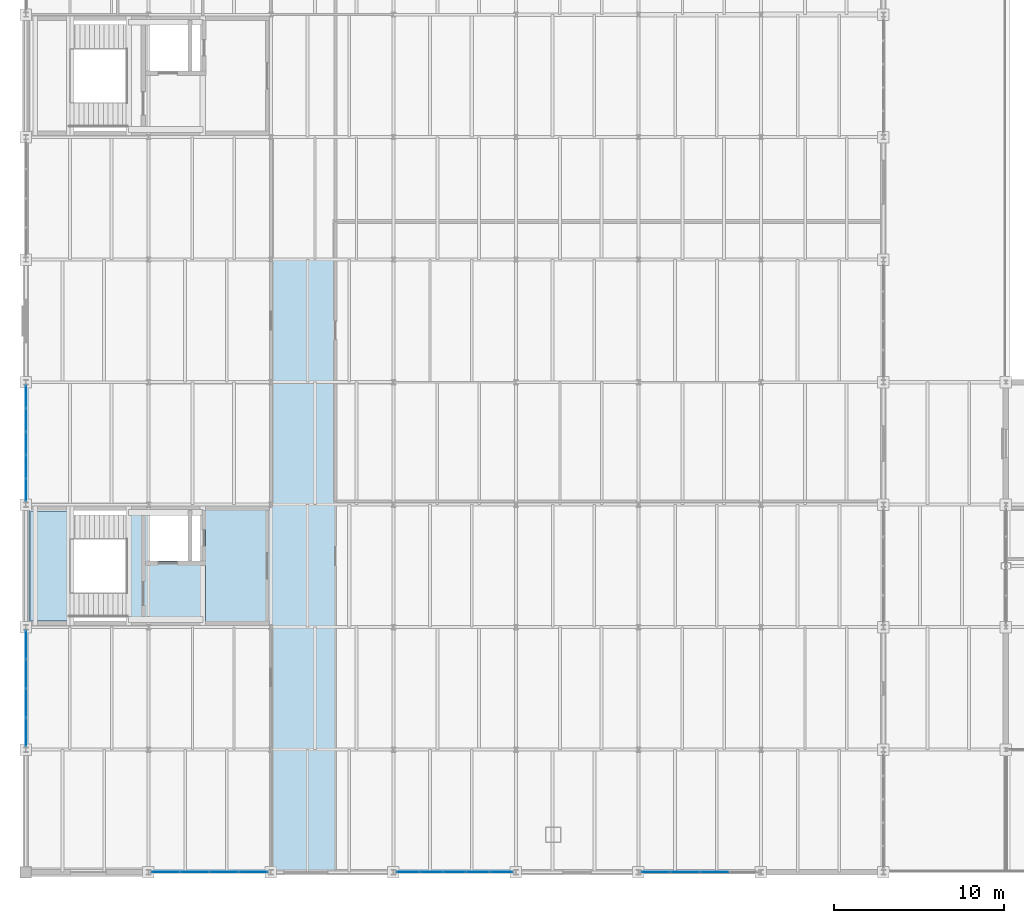
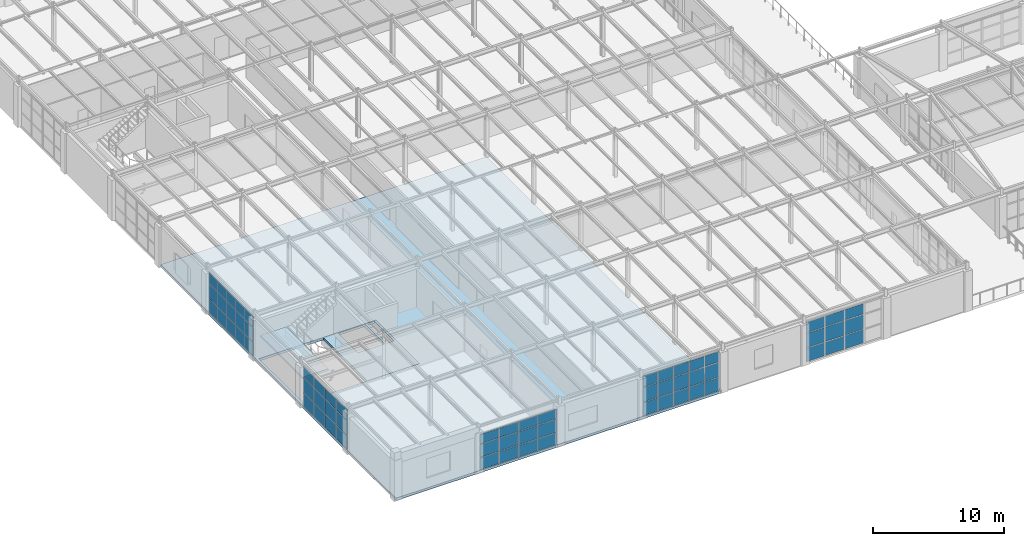
# One storey, part 81 of 101: 63 plates, 3 slabs, 6 elements without a shape of their own.
"""IFC4 building model written with IfcOpenShell, lengths in metres."""

from ifc_helpers import new_model, si_unit, direction, frame, origin, origin_2d, place, context, subcontext, project, spatial, polyline, rectangle, outline, extrude, material, layer, layer_set, type_object, element, aggregate, save


model = new_model("IFC4")

# Units and contexts
model_context = context("Model", 3, precision=1e-05, world=origin(), true_north=direction((0.0, 1.0)))
body_context = subcontext(model_context, "Body", "Model", "MODEL_VIEW")
ifc_project = project(units=[si_unit("LENGTHUNIT", "METRE"), si_unit("AREAUNIT", "SQUARE_METRE"), si_unit("VOLUMEUNIT", "CUBIC_METRE"), si_unit("PLANEANGLEUNIT", "RADIAN"), si_unit("MASSUNIT", "GRAM", prefix="KILO")], contexts=[model_context])

# Site, building, storey
site_placement = place(None, origin())
site = spatial("IfcSite", under=ifc_project, at=site_placement, CompositionType="ELEMENT")
building_placement = place(site_placement, origin())
building = spatial("IfcBuilding", under=site, at=building_placement, Name="Kemerveld Promenade Tramway Depot", CompositionType="ELEMENT")
storey_placement = place(building_placement, frame((0.0, 0.0, 9.89990234375)))
storey = spatial("IfcBuildingStorey", under=building, at=storey_placement, Name="L02", CompositionType="ELEMENT", Elevation=9.89990234375)

# Curtain wall, plates
ifc_material_1 = material(Name="Bronze anodised aluminium and solar glass", Category="aluminium")
ifc_layer_1 = layer(ifc_material_1, 0.159912109375)
ifc_layer_set_1 = layer_set([ifc_layer_1], Name="CW-SYS-09")
curtain_wall_type_1 = type_object("IfcCurtainWallType", Name="CW-SYS-09", PredefinedType="USERDEFINED", material=ifc_layer_set_1)
curtain_wall_1_placement = place(storey_placement, origin())
curtain_wall_1 = element("IfcCurtainWall", 1, at=curtain_wall_1_placement, inside=storey, type_object=curtain_wall_type_1, Name="CW-L02-V5S-06", ObjectType="GLAZED_CURTAIN_WALL", PredefinedType="USERDEFINED")
ifc_material_2 = material(Name="Solar-control laminated double glazing", Category="glass")
ifc_layer_2 = layer(ifc_material_2, 0.028076171875)
ifc_layer_set_2 = layer_set([ifc_layer_2], Name="CW-PNL-01")
plate_type_1 = type_object("IfcPlateType", Name="CW-PNL-01", PredefinedType="CURTAIN_PANEL", material=ifc_layer_set_2)
plate_1_placement = place(storey_placement, frame((13.365234375, 0.0, 0.06005859375), z_axis=(0.0, 0.0, 1.0), x_axis=(-1.0, 0.0, 0.0)))
plate_1 = element("IfcPlate", 2, at=plate_1_placement, type_object=plate_type_1, Name="CW09 panel 1.1", PredefinedType="CURTAIN_PANEL", context=body_context, shape_type="SweptSolid", body=[
    extrude(rectangle(XDim=1.62353515625, YDim=0.028076171875, at=origin_2d()), origin(), (0.0, 0.0, 1.0), 1.10498046875),
])
plate_2_placement = place(storey_placement, frame((13.365234375, 0.0, 1.22509765625), z_axis=(0.0, 0.0, 1.0), x_axis=(-1.0, 0.0, 0.0)))
plate_2 = element("IfcPlate", 3, at=plate_2_placement, type_object=plate_type_1, Name="CW09 panel 1.2", PredefinedType="CURTAIN_PANEL", context=body_context, shape_type="SweptSolid", body=[
    extrude(rectangle(XDim=1.62353515625, YDim=0.028076171875, at=origin_2d()), origin(), (0.0, 0.0, 1.0), 1.2041015625),
])
plate_3_placement = place(storey_placement, frame((13.365234375, 0.0, 2.4892578125), z_axis=(0.0, 0.0, 1.0), x_axis=(-1.0, 0.0, 0.0)))
plate_3 = element("IfcPlate", 4, at=plate_3_placement, type_object=plate_type_1, Name="CW09 panel 1.3", PredefinedType="CURTAIN_PANEL", context=body_context, shape_type="SweptSolid", body=[
    extrude(rectangle(XDim=1.62353515625, YDim=0.028076171875, at=origin_2d()), origin(), (0.0, 0.0, 1.0), 0.865966796875),
])
plate_4_placement = place(storey_placement, frame((11.660400390625, 0.0, 0.06005859375), z_axis=(0.0, 0.0, 1.0), x_axis=(-1.0, 0.0, 0.0)))
plate_4 = element("IfcPlate", 5, at=plate_4_placement, type_object=plate_type_1, Name="CW09 panel 2.1", PredefinedType="CURTAIN_PANEL", context=body_context, shape_type="SweptSolid", body=[
    extrude(rectangle(XDim=1.656005859375, YDim=0.028076171875, at=origin_2d()), origin(), (0.0, 0.0, 1.0), 1.10498046875),
])
plate_5_placement = place(storey_placement, frame((11.660400390625, 0.0, 1.22509765625), z_axis=(0.0, 0.0, 1.0), x_axis=(-1.0, 0.0, 0.0)))
plate_5 = element("IfcPlate", 6, at=plate_5_placement, type_object=plate_type_1, Name="CW09 panel 2.2", PredefinedType="CURTAIN_PANEL", context=body_context, shape_type="SweptSolid", body=[
    extrude(rectangle(XDim=1.656005859375, YDim=0.028076171875, at=origin_2d()), origin(), (0.0, 0.0, 1.0), 1.2041015625),
])
plate_6_placement = place(storey_placement, frame((11.660400390625, 0.0, 2.4892578125), z_axis=(0.0, 0.0, 1.0), x_axis=(-1.0, 0.0, 0.0)))
plate_6 = element("IfcPlate", 7, at=plate_6_placement, type_object=plate_type_1, Name="CW09 panel 2.3", PredefinedType="CURTAIN_PANEL", context=body_context, shape_type="SweptSolid", body=[
    extrude(rectangle(XDim=1.656005859375, YDim=0.028076171875, at=origin_2d()), origin(), (0.0, 0.0, 1.0), 0.865966796875),
])
plate_7_placement = place(storey_placement, frame((9.939697265625, 0.0, 0.06005859375), z_axis=(0.0, 0.0, 1.0), x_axis=(-1.0, 0.0, 0.0)))
plate_7 = element("IfcPlate", 8, at=plate_7_placement, type_object=plate_type_1, Name="CW09 panel 3.1", PredefinedType="CURTAIN_PANEL", context=body_context, shape_type="SweptSolid", body=[
    extrude(rectangle(XDim=1.656005859375, YDim=0.028076171875, at=origin_2d()), origin(), (0.0, 0.0, 1.0), 1.10498046875),
])
plate_8_placement = place(storey_placement, frame((9.939697265625, 0.0, 1.22509765625), z_axis=(0.0, 0.0, 1.0), x_axis=(-1.0, 0.0, 0.0)))
plate_8 = element("IfcPlate", 9, at=plate_8_placement, type_object=plate_type_1, Name="CW09 panel 3.2", PredefinedType="CURTAIN_PANEL", context=body_context, shape_type="SweptSolid", body=[
    extrude(rectangle(XDim=1.656005859375, YDim=0.028076171875, at=origin_2d()), origin(), (0.0, 0.0, 1.0), 1.2041015625),
])
plate_9_placement = place(storey_placement, frame((9.939697265625, 0.0, 2.4892578125), z_axis=(0.0, 0.0, 1.0), x_axis=(-1.0, 0.0, 0.0)))
plate_9 = element("IfcPlate", 10, at=plate_9_placement, type_object=plate_type_1, Name="CW09 panel 3.3", PredefinedType="CURTAIN_PANEL", context=body_context, shape_type="SweptSolid", body=[
    extrude(rectangle(XDim=1.656005859375, YDim=0.028076171875, at=origin_2d()), origin(), (0.0, 0.0, 1.0), 0.865966796875),
])
plate_10_placement = place(storey_placement, frame((8.23486328125, 0.0, 0.06005859375), z_axis=(0.0, 0.0, 1.0), x_axis=(-1.0, 0.0, 0.0)))
plate_10 = element("IfcPlate", 11, at=plate_10_placement, type_object=plate_type_1, Name="CW09 panel 4.1", PredefinedType="CURTAIN_PANEL", context=body_context, shape_type="SweptSolid", body=[
    extrude(rectangle(XDim=1.62353515625, YDim=0.028076171875, at=origin_2d()), origin(), (0.0, 0.0, 1.0), 1.10498046875),
])
plate_11_placement = place(storey_placement, frame((8.23486328125, 0.0, 1.22509765625), z_axis=(0.0, 0.0, 1.0), x_axis=(-1.0, 0.0, 0.0)))
plate_11 = element("IfcPlate", 12, at=plate_11_placement, type_object=plate_type_1, Name="CW09 panel 4.2", PredefinedType="CURTAIN_PANEL", context=body_context, shape_type="SweptSolid", body=[
    extrude(rectangle(XDim=1.62353515625, YDim=0.028076171875, at=origin_2d()), origin(), (0.0, 0.0, 1.0), 1.2041015625),
])
plate_12_placement = place(storey_placement, frame((8.23486328125, 0.0, 2.4892578125), z_axis=(0.0, 0.0, 1.0), x_axis=(-1.0, 0.0, 0.0)))
plate_12 = element("IfcPlate", 13, at=plate_12_placement, type_object=plate_type_1, Name="CW09 panel 4.3", PredefinedType="CURTAIN_PANEL", context=body_context, shape_type="SweptSolid", body=[
    extrude(rectangle(XDim=1.62353515625, YDim=0.028076171875, at=origin_2d()), origin(), (0.0, 0.0, 1.0), 0.865966796875),
])
aggregate(curtain_wall_1, [plate_1, plate_2, plate_3, plate_4, plate_5, plate_6, plate_7, plate_8, plate_9, plate_10, plate_11, plate_12])

ifc_layer_3 = layer(ifc_material_1, 0.159912109375)
ifc_layer_set_3 = layer_set([ifc_layer_3], Name="CW-SYS-05")
curtain_wall_type_2 = type_object("IfcCurtainWallType", Name="CW-SYS-05", PredefinedType="USERDEFINED", material=ifc_layer_set_3)
curtain_wall_2_placement = place(storey_placement, origin())
curtain_wall_2 = element("IfcCurtainWall", 14, at=curtain_wall_2_placement, inside=storey, type_object=curtain_wall_type_2, Name="CW-L02-V5W-02", ObjectType="GLAZED_CURTAIN_WALL", PredefinedType="USERDEFINED")
ifc_layer_4 = layer(ifc_material_2, 0.031982421875)
ifc_layer_set_4 = layer_set([ifc_layer_4], Name="CW-PNL-05")
plate_type_2 = type_object("IfcPlateType", Name="CW-PNL-05", PredefinedType="CURTAIN_PANEL", material=ifc_layer_set_4)
plate_13_placement = place(storey_placement, frame((0.0, 8.23486328125, 0.06005859375), z_axis=(0.0, 0.0, 1.0), x_axis=(0.0, 1.0, 0.0)))
plate_13 = element("IfcPlate", 15, at=plate_13_placement, type_object=plate_type_2, Name="CW05 panel 1.1", PredefinedType="CURTAIN_PANEL", context=body_context, shape_type="SweptSolid", body=[
    extrude(rectangle(XDim=1.62353515625, YDim=0.031982421875, at=origin_2d()), origin(), (0.0, 0.0, 1.0), 1.239990234375),
])
plate_14_placement = place(storey_placement, frame((0.0, 8.23486328125, 1.3603515625), z_axis=(0.0, 0.0, 1.0), x_axis=(0.0, 1.0, 0.0)))
plate_14 = element("IfcPlate", 16, at=plate_14_placement, type_object=plate_type_2, Name="CW05 panel 1.2", PredefinedType="CURTAIN_PANEL", context=body_context, shape_type="SweptSolid", body=[
    extrude(rectangle(XDim=1.62353515625, YDim=0.031982421875, at=origin_2d()), origin(), (0.0, 0.0, 1.0), 1.345947265625),
])
plate_15_placement = place(storey_placement, frame((0.0, 8.23486328125, 2.76611328125), z_axis=(0.0, 0.0, 1.0), x_axis=(0.0, 1.0, 0.0)))
plate_15 = element("IfcPlate", 17, at=plate_15_placement, type_object=plate_type_2, Name="CW05 panel 1.3", PredefinedType="CURTAIN_PANEL", context=body_context, shape_type="SweptSolid", body=[
    extrude(rectangle(XDim=1.62353515625, YDim=0.031982421875, at=origin_2d()), origin(), (0.0, 0.0, 1.0), 0.97412109375),
])
plate_16_placement = place(storey_placement, frame((0.0, 9.939697265625, 0.06005859375), z_axis=(0.0, 0.0, 1.0), x_axis=(0.0, 1.0, 0.0)))
plate_16 = element("IfcPlate", 18, at=plate_16_placement, type_object=plate_type_2, Name="CW05 panel 2.1", PredefinedType="CURTAIN_PANEL", context=body_context, shape_type="SweptSolid", body=[
    extrude(rectangle(XDim=1.656005859375, YDim=0.031982421875, at=origin_2d()), origin(), (0.0, 0.0, 1.0), 1.239990234375),
])
plate_17_placement = place(storey_placement, frame((0.0, 9.939697265625, 1.3603515625), z_axis=(0.0, 0.0, 1.0), x_axis=(0.0, 1.0, 0.0)))
plate_17 = element("IfcPlate", 19, at=plate_17_placement, type_object=plate_type_2, Name="CW05 panel 2.2", PredefinedType="CURTAIN_PANEL", context=body_context, shape_type="SweptSolid", body=[
    extrude(rectangle(XDim=1.656005859375, YDim=0.031982421875, at=origin_2d()), origin(), (0.0, 0.0, 1.0), 1.345947265625),
])
plate_18_placement = place(storey_placement, frame((0.0, 9.939697265625, 2.76611328125), z_axis=(0.0, 0.0, 1.0), x_axis=(0.0, 1.0, 0.0)))
plate_18 = element("IfcPlate", 20, at=plate_18_placement, type_object=plate_type_2, Name="CW05 panel 2.3", PredefinedType="CURTAIN_PANEL", context=body_context, shape_type="SweptSolid", body=[
    extrude(rectangle(XDim=1.656005859375, YDim=0.031982421875, at=origin_2d()), origin(), (0.0, 0.0, 1.0), 0.97412109375),
])
plate_19_placement = place(storey_placement, frame((0.0, 11.660400390625, 0.06005859375), z_axis=(0.0, 0.0, 1.0), x_axis=(0.0, 1.0, 0.0)))
plate_19 = element("IfcPlate", 21, at=plate_19_placement, type_object=plate_type_2, Name="CW05 panel 3.1", PredefinedType="CURTAIN_PANEL", context=body_context, shape_type="SweptSolid", body=[
    extrude(rectangle(XDim=1.656005859375, YDim=0.031982421875, at=origin_2d()), origin(), (0.0, 0.0, 1.0), 1.239990234375),
])
plate_20_placement = place(storey_placement, frame((0.0, 11.660400390625, 1.3603515625), z_axis=(0.0, 0.0, 1.0), x_axis=(0.0, 1.0, 0.0)))
plate_20 = element("IfcPlate", 22, at=plate_20_placement, type_object=plate_type_2, Name="CW05 panel 3.2", PredefinedType="CURTAIN_PANEL", context=body_context, shape_type="SweptSolid", body=[
    extrude(rectangle(XDim=1.656005859375, YDim=0.031982421875, at=origin_2d()), origin(), (0.0, 0.0, 1.0), 1.345947265625),
])
plate_21_placement = place(storey_placement, frame((0.0, 11.660400390625, 2.76611328125), z_axis=(0.0, 0.0, 1.0), x_axis=(0.0, 1.0, 0.0)))
plate_21 = element("IfcPlate", 23, at=plate_21_placement, type_object=plate_type_2, Name="CW05 panel 3.3", PredefinedType="CURTAIN_PANEL", context=body_context, shape_type="SweptSolid", body=[
    extrude(rectangle(XDim=1.656005859375, YDim=0.031982421875, at=origin_2d()), origin(), (0.0, 0.0, 1.0), 0.97412109375),
])
plate_22_placement = place(storey_placement, frame((0.0, 13.365234375, 0.06005859375), z_axis=(0.0, 0.0, 1.0), x_axis=(0.0, 1.0, 0.0)))
plate_22 = element("IfcPlate", 24, at=plate_22_placement, type_object=plate_type_2, Name="CW05 panel 4.1", PredefinedType="CURTAIN_PANEL", context=body_context, shape_type="SweptSolid", body=[
    extrude(rectangle(XDim=1.62353515625, YDim=0.031982421875, at=origin_2d()), origin(), (0.0, 0.0, 1.0), 1.239990234375),
])
plate_23_placement = place(storey_placement, frame((0.0, 13.365234375, 1.3603515625), z_axis=(0.0, 0.0, 1.0), x_axis=(0.0, 1.0, 0.0)))
plate_23 = element("IfcPlate", 25, at=plate_23_placement, type_object=plate_type_2, Name="CW05 panel 4.2", PredefinedType="CURTAIN_PANEL", context=body_context, shape_type="SweptSolid", body=[
    extrude(rectangle(XDim=1.62353515625, YDim=0.031982421875, at=origin_2d()), origin(), (0.0, 0.0, 1.0), 1.345947265625),
])
plate_24_placement = place(storey_placement, frame((0.0, 13.365234375, 2.76611328125), z_axis=(0.0, 0.0, 1.0), x_axis=(0.0, 1.0, 0.0)))
plate_24 = element("IfcPlate", 26, at=plate_24_placement, type_object=plate_type_2, Name="CW05 panel 4.3", PredefinedType="CURTAIN_PANEL", context=body_context, shape_type="SweptSolid", body=[
    extrude(rectangle(XDim=1.62353515625, YDim=0.031982421875, at=origin_2d()), origin(), (0.0, 0.0, 1.0), 0.97412109375),
])
aggregate(curtain_wall_2, [plate_13, plate_14, plate_15, plate_16, plate_17, plate_18, plate_19, plate_20, plate_21, plate_22, plate_23, plate_24])

curtain_wall_3_placement = place(storey_placement, origin())
curtain_wall_3 = element("IfcCurtainWall", 27, at=curtain_wall_3_placement, inside=storey, type_object=curtain_wall_type_2, Name="CW-L02-V5S-02", ObjectType="GLAZED_CURTAIN_WALL", PredefinedType="USERDEFINED")
plate_25_placement = place(storey_placement, frame((40.46044921875, 0.0, 0.06005859375), z_axis=(0.0, 0.0, 1.0), x_axis=(-1.0, 0.0, 0.0)))
plate_25 = element("IfcPlate", 28, at=plate_25_placement, type_object=plate_type_2, Name="CW05 panel 2.1", PredefinedType="CURTAIN_PANEL", context=body_context, shape_type="SweptSolid", body=[
    extrude(rectangle(XDim=1.656005859375, YDim=0.031982421875, at=origin_2d()), origin(), (0.0, 0.0, 1.0), 1.239990234375),
])
plate_26_placement = place(storey_placement, frame((40.46044921875, 0.0, 1.3603515625), z_axis=(0.0, 0.0, 1.0), x_axis=(-1.0, 0.0, 0.0)))
plate_26 = element("IfcPlate", 29, at=plate_26_placement, type_object=plate_type_2, Name="CW05 panel 2.2", PredefinedType="CURTAIN_PANEL", context=body_context, shape_type="SweptSolid", body=[
    extrude(rectangle(XDim=1.656005859375, YDim=0.031982421875, at=origin_2d()), origin(), (0.0, 0.0, 1.0), 1.345947265625),
])
plate_27_placement = place(storey_placement, frame((40.46044921875, 0.0, 2.76611328125), z_axis=(0.0, 0.0, 1.0), x_axis=(-1.0, 0.0, 0.0)))
plate_27 = element("IfcPlate", 30, at=plate_27_placement, type_object=plate_type_2, Name="CW05 panel 2.3", PredefinedType="CURTAIN_PANEL", context=body_context, shape_type="SweptSolid", body=[
    extrude(rectangle(XDim=1.656005859375, YDim=0.031982421875, at=origin_2d()), origin(), (0.0, 0.0, 1.0), 0.97412109375),
])
plate_28_placement = place(storey_placement, frame((38.739501953125, 0.0, 0.06005859375), z_axis=(0.0, 0.0, 1.0), x_axis=(-1.0, 0.0, 0.0)))
plate_28 = element("IfcPlate", 31, at=plate_28_placement, type_object=plate_type_2, Name="CW05 panel 3.1", PredefinedType="CURTAIN_PANEL", context=body_context, shape_type="SweptSolid", body=[
    extrude(rectangle(XDim=1.656005859375, YDim=0.031982421875, at=origin_2d()), origin(), (0.0, 0.0, 1.0), 1.239990234375),
])
plate_29_placement = place(storey_placement, frame((38.739501953125, 0.0, 1.3603515625), z_axis=(0.0, 0.0, 1.0), x_axis=(-1.0, 0.0, 0.0)))
plate_29 = element("IfcPlate", 32, at=plate_29_placement, type_object=plate_type_2, Name="CW05 panel 3.2", PredefinedType="CURTAIN_PANEL", context=body_context, shape_type="SweptSolid", body=[
    extrude(rectangle(XDim=1.656005859375, YDim=0.031982421875, at=origin_2d()), origin(), (0.0, 0.0, 1.0), 1.345947265625),
])
plate_30_placement = place(storey_placement, frame((38.739501953125, 0.0, 2.76611328125), z_axis=(0.0, 0.0, 1.0), x_axis=(-1.0, 0.0, 0.0)))
plate_30 = element("IfcPlate", 33, at=plate_30_placement, type_object=plate_type_2, Name="CW05 panel 3.3", PredefinedType="CURTAIN_PANEL", context=body_context, shape_type="SweptSolid", body=[
    extrude(rectangle(XDim=1.656005859375, YDim=0.031982421875, at=origin_2d()), origin(), (0.0, 0.0, 1.0), 0.97412109375),
])
plate_31_placement = place(storey_placement, frame((37.034912109375, 0.0, 0.06005859375), z_axis=(0.0, 0.0, 1.0), x_axis=(-1.0, 0.0, 0.0)))
plate_31 = element("IfcPlate", 34, at=plate_31_placement, type_object=plate_type_2, Name="CW05 panel 4.1", PredefinedType="CURTAIN_PANEL", context=body_context, shape_type="SweptSolid", body=[
    extrude(rectangle(XDim=1.62353515625, YDim=0.031982421875, at=origin_2d()), origin(), (0.0, 0.0, 1.0), 1.239990234375),
])
plate_32_placement = place(storey_placement, frame((37.034912109375, 0.0, 1.3603515625), z_axis=(0.0, 0.0, 1.0), x_axis=(-1.0, 0.0, 0.0)))
plate_32 = element("IfcPlate", 35, at=plate_32_placement, type_object=plate_type_2, Name="CW05 panel 4.2", PredefinedType="CURTAIN_PANEL", context=body_context, shape_type="SweptSolid", body=[
    extrude(rectangle(XDim=1.62353515625, YDim=0.031982421875, at=origin_2d()), origin(), (0.0, 0.0, 1.0), 1.345947265625),
])
plate_33_placement = place(storey_placement, frame((37.034912109375, 0.0, 2.76611328125), z_axis=(0.0, 0.0, 1.0), x_axis=(-1.0, 0.0, 0.0)))
plate_33 = element("IfcPlate", 36, at=plate_33_placement, type_object=plate_type_2, Name="CW05 panel 4.3", PredefinedType="CURTAIN_PANEL", context=body_context, shape_type="SweptSolid", body=[
    extrude(rectangle(XDim=1.62353515625, YDim=0.031982421875, at=origin_2d()), origin(), (0.0, 0.0, 1.0), 0.97412109375),
])
aggregate(curtain_wall_3, [plate_25, plate_26, plate_27, plate_28, plate_29, plate_30, plate_31, plate_32, plate_33])

ifc_layer_5 = layer(ifc_material_1, 0.159912109375)
ifc_layer_set_5 = layer_set([ifc_layer_5], Name="CW-SYS-07")
curtain_wall_type_3 = type_object("IfcCurtainWallType", Name="CW-SYS-07", PredefinedType="USERDEFINED", material=ifc_layer_set_5)
curtain_wall_4_placement = place(storey_placement, origin())
curtain_wall_4 = element("IfcCurtainWall", 37, at=curtain_wall_4_placement, inside=storey, type_object=curtain_wall_type_3, Name="CW-L02-V5W-04", ObjectType="GLAZED_CURTAIN_WALL", PredefinedType="USERDEFINED")
ifc_layer_6 = layer(ifc_material_2, 0.030029296875)
ifc_layer_set_6 = layer_set([ifc_layer_6], Name="CW-PNL-07")
plate_type_3 = type_object("IfcPlateType", Name="CW-PNL-07", PredefinedType="CURTAIN_PANEL", material=ifc_layer_set_6)
plate_34_placement = place(storey_placement, frame((0.0, 22.462890625, 0.06005859375), z_axis=(0.0, 0.0, 1.0), x_axis=(0.0, 1.0, 0.0)))
plate_34 = element("IfcPlate", 38, at=plate_34_placement, type_object=plate_type_3, Name="CW07 panel 1.1", PredefinedType="CURTAIN_PANEL", context=body_context, shape_type="SweptSolid", body=[
    extrude(rectangle(XDim=1.279296875, YDim=0.030029296875, at=origin_2d()), origin(), (0.0, 0.0, 1.0), 1.239990234375),
])
plate_35_placement = place(storey_placement, frame((0.0, 22.462890625, 1.3603515625), z_axis=(0.0, 0.0, 1.0), x_axis=(0.0, 1.0, 0.0)))
plate_35 = element("IfcPlate", 39, at=plate_35_placement, type_object=plate_type_3, Name="CW07 panel 1.2", PredefinedType="CURTAIN_PANEL", context=body_context, shape_type="SweptSolid", body=[
    extrude(rectangle(XDim=1.279296875, YDim=0.030029296875, at=origin_2d()), origin(), (0.0, 0.0, 1.0), 1.345947265625),
])
plate_36_placement = place(storey_placement, frame((0.0, 22.462890625, 2.76611328125), z_axis=(0.0, 0.0, 1.0), x_axis=(0.0, 1.0, 0.0)))
plate_36 = element("IfcPlate", 40, at=plate_36_placement, type_object=plate_type_3, Name="CW07 panel 1.3", PredefinedType="CURTAIN_PANEL", context=body_context, shape_type="SweptSolid", body=[
    extrude(rectangle(XDim=1.279296875, YDim=0.030029296875, at=origin_2d()), origin(), (0.0, 0.0, 1.0), 0.97412109375),
])
plate_37_placement = place(storey_placement, frame((0.0, 23.8232421875, 0.06005859375), z_axis=(0.0, 0.0, 1.0), x_axis=(0.0, 1.0, 0.0)))
plate_37 = element("IfcPlate", 41, at=plate_37_placement, type_object=plate_type_3, Name="CW07 panel 2.1", PredefinedType="CURTAIN_PANEL", context=body_context, shape_type="SweptSolid", body=[
    extrude(rectangle(XDim=1.311767578125, YDim=0.030029296875, at=origin_2d()), origin(), (0.0, 0.0, 1.0), 1.239990234375),
])
plate_38_placement = place(storey_placement, frame((0.0, 23.8232421875, 1.3603515625), z_axis=(0.0, 0.0, 1.0), x_axis=(0.0, 1.0, 0.0)))
plate_38 = element("IfcPlate", 42, at=plate_38_placement, type_object=plate_type_3, Name="CW07 panel 2.2", PredefinedType="CURTAIN_PANEL", context=body_context, shape_type="SweptSolid", body=[
    extrude(rectangle(XDim=1.311767578125, YDim=0.030029296875, at=origin_2d()), origin(), (0.0, 0.0, 1.0), 1.345947265625),
])
plate_39_placement = place(storey_placement, frame((0.0, 23.8232421875, 2.76611328125), z_axis=(0.0, 0.0, 1.0), x_axis=(0.0, 1.0, 0.0)))
plate_39 = element("IfcPlate", 43, at=plate_39_placement, type_object=plate_type_3, Name="CW07 panel 2.3", PredefinedType="CURTAIN_PANEL", context=body_context, shape_type="SweptSolid", body=[
    extrude(rectangle(XDim=1.311767578125, YDim=0.030029296875, at=origin_2d()), origin(), (0.0, 0.0, 1.0), 0.97412109375),
])
plate_40_placement = place(storey_placement, frame((0.0, 25.199951171875, 0.06005859375), z_axis=(0.0, 0.0, 1.0), x_axis=(0.0, 1.0, 0.0)))
plate_40 = element("IfcPlate", 44, at=plate_40_placement, type_object=plate_type_3, Name="CW07 panel 3.1", PredefinedType="CURTAIN_PANEL", context=body_context, shape_type="SweptSolid", body=[
    extrude(rectangle(XDim=1.311767578125, YDim=0.030029296875, at=origin_2d()), origin(), (0.0, 0.0, 1.0), 1.239990234375),
])
plate_41_placement = place(storey_placement, frame((0.0, 25.199951171875, 1.3603515625), z_axis=(0.0, 0.0, 1.0), x_axis=(0.0, 1.0, 0.0)))
plate_41 = element("IfcPlate", 45, at=plate_41_placement, type_object=plate_type_3, Name="CW07 panel 3.2", PredefinedType="CURTAIN_PANEL", context=body_context, shape_type="SweptSolid", body=[
    extrude(rectangle(XDim=1.311767578125, YDim=0.030029296875, at=origin_2d()), origin(), (0.0, 0.0, 1.0), 1.345947265625),
])
plate_42_placement = place(storey_placement, frame((0.0, 25.199951171875, 2.76611328125), z_axis=(0.0, 0.0, 1.0), x_axis=(0.0, 1.0, 0.0)))
plate_42 = element("IfcPlate", 46, at=plate_42_placement, type_object=plate_type_3, Name="CW07 panel 3.3", PredefinedType="CURTAIN_PANEL", context=body_context, shape_type="SweptSolid", body=[
    extrude(rectangle(XDim=1.311767578125, YDim=0.030029296875, at=origin_2d()), origin(), (0.0, 0.0, 1.0), 0.97412109375),
])
plate_43_placement = place(storey_placement, frame((0.0, 26.576904296875, 0.06005859375), z_axis=(0.0, 0.0, 1.0), x_axis=(0.0, 1.0, 0.0)))
plate_43 = element("IfcPlate", 47, at=plate_43_placement, type_object=plate_type_3, Name="CW07 panel 4.1", PredefinedType="CURTAIN_PANEL", context=body_context, shape_type="SweptSolid", body=[
    extrude(rectangle(XDim=1.311767578125, YDim=0.030029296875, at=origin_2d()), origin(), (0.0, 0.0, 1.0), 1.239990234375),
])
plate_44_placement = place(storey_placement, frame((0.0, 26.576904296875, 1.3603515625), z_axis=(0.0, 0.0, 1.0), x_axis=(0.0, 1.0, 0.0)))
plate_44 = element("IfcPlate", 48, at=plate_44_placement, type_object=plate_type_3, Name="CW07 panel 4.2", PredefinedType="CURTAIN_PANEL", context=body_context, shape_type="SweptSolid", body=[
    extrude(rectangle(XDim=1.311767578125, YDim=0.030029296875, at=origin_2d()), origin(), (0.0, 0.0, 1.0), 1.345947265625),
])
plate_45_placement = place(storey_placement, frame((0.0, 26.576904296875, 2.76611328125), z_axis=(0.0, 0.0, 1.0), x_axis=(0.0, 1.0, 0.0)))
plate_45 = element("IfcPlate", 49, at=plate_45_placement, type_object=plate_type_3, Name="CW07 panel 4.3", PredefinedType="CURTAIN_PANEL", context=body_context, shape_type="SweptSolid", body=[
    extrude(rectangle(XDim=1.311767578125, YDim=0.030029296875, at=origin_2d()), origin(), (0.0, 0.0, 1.0), 0.97412109375),
])
plate_46_placement = place(storey_placement, frame((0.0, 27.937255859375, 0.06005859375), z_axis=(0.0, 0.0, 1.0), x_axis=(0.0, 1.0, 0.0)))
plate_46 = element("IfcPlate", 50, at=plate_46_placement, type_object=plate_type_3, Name="CW07 panel 5.1", PredefinedType="CURTAIN_PANEL", context=body_context, shape_type="SweptSolid", body=[
    extrude(rectangle(XDim=1.279296875, YDim=0.030029296875, at=origin_2d()), origin(), (0.0, 0.0, 1.0), 1.239990234375),
])
plate_47_placement = place(storey_placement, frame((0.0, 27.937255859375, 1.3603515625), z_axis=(0.0, 0.0, 1.0), x_axis=(0.0, 1.0, 0.0)))
plate_47 = element("IfcPlate", 51, at=plate_47_placement, type_object=plate_type_3, Name="CW07 panel 5.2", PredefinedType="CURTAIN_PANEL", context=body_context, shape_type="SweptSolid", body=[
    extrude(rectangle(XDim=1.279296875, YDim=0.030029296875, at=origin_2d()), origin(), (0.0, 0.0, 1.0), 1.345947265625),
])
plate_48_placement = place(storey_placement, frame((0.0, 27.937255859375, 2.76611328125), z_axis=(0.0, 0.0, 1.0), x_axis=(0.0, 1.0, 0.0)))
plate_48 = element("IfcPlate", 52, at=plate_48_placement, type_object=plate_type_3, Name="CW07 panel 5.3", PredefinedType="CURTAIN_PANEL", context=body_context, shape_type="SweptSolid", body=[
    extrude(rectangle(XDim=1.279296875, YDim=0.030029296875, at=origin_2d()), origin(), (0.0, 0.0, 1.0), 0.97412109375),
])
aggregate(curtain_wall_4, [plate_34, plate_35, plate_36, plate_37, plate_38, plate_39, plate_40, plate_41, plate_42, plate_43, plate_44, plate_45, plate_46, plate_47, plate_48])

curtain_wall_5_placement = place(storey_placement, origin())
curtain_wall_5 = element("IfcCurtainWall", 53, at=curtain_wall_5_placement, inside=storey, type_object=curtain_wall_type_3, Name="CW-L02-V5S-04", ObjectType="GLAZED_CURTAIN_WALL", PredefinedType="USERDEFINED")
plate_49_placement = place(storey_placement, frame((27.937255859375, 0.0, 0.06005859375), z_axis=(0.0, 0.0, 1.0), x_axis=(-1.0, 0.0, 0.0)))
plate_49 = element("IfcPlate", 54, at=plate_49_placement, type_object=plate_type_3, Name="CW07 panel 1.1", PredefinedType="CURTAIN_PANEL", context=body_context, shape_type="SweptSolid", body=[
    extrude(rectangle(XDim=1.279296875, YDim=0.030029296875, at=origin_2d()), origin(), (0.0, 0.0, 1.0), 1.239990234375),
])
plate_50_placement = place(storey_placement, frame((27.937255859375, 0.0, 1.3603515625), z_axis=(0.0, 0.0, 1.0), x_axis=(-1.0, 0.0, 0.0)))
plate_50 = element("IfcPlate", 55, at=plate_50_placement, type_object=plate_type_3, Name="CW07 panel 1.2", PredefinedType="CURTAIN_PANEL", context=body_context, shape_type="SweptSolid", body=[
    extrude(rectangle(XDim=1.279296875, YDim=0.030029296875, at=origin_2d()), origin(), (0.0, 0.0, 1.0), 1.345947265625),
])
plate_51_placement = place(storey_placement, frame((27.937255859375, 0.0, 2.76611328125), z_axis=(0.0, 0.0, 1.0), x_axis=(-1.0, 0.0, 0.0)))
plate_51 = element("IfcPlate", 56, at=plate_51_placement, type_object=plate_type_3, Name="CW07 panel 1.3", PredefinedType="CURTAIN_PANEL", context=body_context, shape_type="SweptSolid", body=[
    extrude(rectangle(XDim=1.279296875, YDim=0.030029296875, at=origin_2d()), origin(), (0.0, 0.0, 1.0), 0.97412109375),
])
plate_52_placement = place(storey_placement, frame((26.576904296875, 0.0, 0.06005859375), z_axis=(0.0, 0.0, 1.0), x_axis=(-1.0, 0.0, 0.0)))
plate_52 = element("IfcPlate", 57, at=plate_52_placement, type_object=plate_type_3, Name="CW07 panel 2.1", PredefinedType="CURTAIN_PANEL", context=body_context, shape_type="SweptSolid", body=[
    extrude(rectangle(XDim=1.311767578125, YDim=0.030029296875, at=origin_2d()), origin(), (0.0, 0.0, 1.0), 1.239990234375),
])
plate_53_placement = place(storey_placement, frame((26.576904296875, 0.0, 1.3603515625), z_axis=(0.0, 0.0, 1.0), x_axis=(-1.0, 0.0, 0.0)))
plate_53 = element("IfcPlate", 58, at=plate_53_placement, type_object=plate_type_3, Name="CW07 panel 2.2", PredefinedType="CURTAIN_PANEL", context=body_context, shape_type="SweptSolid", body=[
    extrude(rectangle(XDim=1.311767578125, YDim=0.030029296875, at=origin_2d()), origin(), (0.0, 0.0, 1.0), 1.345947265625),
])
plate_54_placement = place(storey_placement, frame((26.576904296875, 0.0, 2.76611328125), z_axis=(0.0, 0.0, 1.0), x_axis=(-1.0, 0.0, 0.0)))
plate_54 = element("IfcPlate", 59, at=plate_54_placement, type_object=plate_type_3, Name="CW07 panel 2.3", PredefinedType="CURTAIN_PANEL", context=body_context, shape_type="SweptSolid", body=[
    extrude(rectangle(XDim=1.311767578125, YDim=0.030029296875, at=origin_2d()), origin(), (0.0, 0.0, 1.0), 0.97412109375),
])
plate_55_placement = place(storey_placement, frame((25.199951171875, 0.0, 0.06005859375), z_axis=(0.0, 0.0, 1.0), x_axis=(-1.0, 0.0, 0.0)))
plate_55 = element("IfcPlate", 60, at=plate_55_placement, type_object=plate_type_3, Name="CW07 panel 3.1", PredefinedType="CURTAIN_PANEL", context=body_context, shape_type="SweptSolid", body=[
    extrude(rectangle(XDim=1.311767578125, YDim=0.030029296875, at=origin_2d()), origin(), (0.0, 0.0, 1.0), 1.239990234375),
])
plate_56_placement = place(storey_placement, frame((25.199951171875, 0.0, 1.3603515625), z_axis=(0.0, 0.0, 1.0), x_axis=(-1.0, 0.0, 0.0)))
plate_56 = element("IfcPlate", 61, at=plate_56_placement, type_object=plate_type_3, Name="CW07 panel 3.2", PredefinedType="CURTAIN_PANEL", context=body_context, shape_type="SweptSolid", body=[
    extrude(rectangle(XDim=1.311767578125, YDim=0.030029296875, at=origin_2d()), origin(), (0.0, 0.0, 1.0), 1.345947265625),
])
plate_57_placement = place(storey_placement, frame((25.199951171875, 0.0, 2.76611328125), z_axis=(0.0, 0.0, 1.0), x_axis=(-1.0, 0.0, 0.0)))
plate_57 = element("IfcPlate", 62, at=plate_57_placement, type_object=plate_type_3, Name="CW07 panel 3.3", PredefinedType="CURTAIN_PANEL", context=body_context, shape_type="SweptSolid", body=[
    extrude(rectangle(XDim=1.311767578125, YDim=0.030029296875, at=origin_2d()), origin(), (0.0, 0.0, 1.0), 0.97412109375),
])
plate_58_placement = place(storey_placement, frame((23.8232421875, 0.0, 0.06005859375), z_axis=(0.0, 0.0, 1.0), x_axis=(-1.0, 0.0, 0.0)))
plate_58 = element("IfcPlate", 63, at=plate_58_placement, type_object=plate_type_3, Name="CW07 panel 4.1", PredefinedType="CURTAIN_PANEL", context=body_context, shape_type="SweptSolid", body=[
    extrude(rectangle(XDim=1.311767578125, YDim=0.030029296875, at=origin_2d()), origin(), (0.0, 0.0, 1.0), 1.239990234375),
])
plate_59_placement = place(storey_placement, frame((23.8232421875, 0.0, 1.3603515625), z_axis=(0.0, 0.0, 1.0), x_axis=(-1.0, 0.0, 0.0)))
plate_59 = element("IfcPlate", 64, at=plate_59_placement, type_object=plate_type_3, Name="CW07 panel 4.2", PredefinedType="CURTAIN_PANEL", context=body_context, shape_type="SweptSolid", body=[
    extrude(rectangle(XDim=1.311767578125, YDim=0.030029296875, at=origin_2d()), origin(), (0.0, 0.0, 1.0), 1.345947265625),
])
plate_60_placement = place(storey_placement, frame((23.8232421875, 0.0, 2.76611328125), z_axis=(0.0, 0.0, 1.0), x_axis=(-1.0, 0.0, 0.0)))
plate_60 = element("IfcPlate", 65, at=plate_60_placement, type_object=plate_type_3, Name="CW07 panel 4.3", PredefinedType="CURTAIN_PANEL", context=body_context, shape_type="SweptSolid", body=[
    extrude(rectangle(XDim=1.311767578125, YDim=0.030029296875, at=origin_2d()), origin(), (0.0, 0.0, 1.0), 0.97412109375),
])
plate_61_placement = place(storey_placement, frame((22.462890625, 0.0, 0.06005859375), z_axis=(0.0, 0.0, 1.0), x_axis=(-1.0, 0.0, 0.0)))
plate_61 = element("IfcPlate", 66, at=plate_61_placement, type_object=plate_type_3, Name="CW07 panel 5.1", PredefinedType="CURTAIN_PANEL", context=body_context, shape_type="SweptSolid", body=[
    extrude(rectangle(XDim=1.279296875, YDim=0.030029296875, at=origin_2d()), origin(), (0.0, 0.0, 1.0), 1.239990234375),
])
plate_62_placement = place(storey_placement, frame((22.462890625, 0.0, 1.3603515625), z_axis=(0.0, 0.0, 1.0), x_axis=(-1.0, 0.0, 0.0)))
plate_62 = element("IfcPlate", 67, at=plate_62_placement, type_object=plate_type_3, Name="CW07 panel 5.2", PredefinedType="CURTAIN_PANEL", context=body_context, shape_type="SweptSolid", body=[
    extrude(rectangle(XDim=1.279296875, YDim=0.030029296875, at=origin_2d()), origin(), (0.0, 0.0, 1.0), 1.345947265625),
])
plate_63_placement = place(storey_placement, frame((22.462890625, 0.0, 2.76611328125), z_axis=(0.0, 0.0, 1.0), x_axis=(-1.0, 0.0, 0.0)))
plate_63 = element("IfcPlate", 68, at=plate_63_placement, type_object=plate_type_3, Name="CW07 panel 5.3", PredefinedType="CURTAIN_PANEL", context=body_context, shape_type="SweptSolid", body=[
    extrude(rectangle(XDim=1.279296875, YDim=0.030029296875, at=origin_2d()), origin(), (0.0, 0.0, 1.0), 0.97412109375),
])
aggregate(curtain_wall_5, [plate_49, plate_50, plate_51, plate_52, plate_53, plate_54, plate_55, plate_56, plate_57, plate_58, plate_59, plate_60, plate_61, plate_62, plate_63])

# Slabs
ifc_material_3 = material(Name="Concrete C40/50", Category="concrete")
ifc_layer_7 = layer(ifc_material_3, 0.219970703125)
ifc_layer_set_7 = layer_set([ifc_layer_7], Name="SL-CORE-220")
slab_type_1 = type_object("IfcSlabType", Name="SL-CORE-220", PredefinedType="FLOOR", material=ifc_layer_set_7)
slab_1_placement = place(storey_placement, frame((0.0, 0.0, -0.219970703125)))
element("IfcSlab", 69, at=slab_1_placement, inside=storey, type_object=slab_type_1, Name="SLB-CORE-C1-L02", PredefinedType="FLOOR", context=body_context, shape_type="SweptSolid", body=[
    extrude(outline(polyline([(5.919921875, 14.64990234375), (10.550048828125, 14.64990234375), (10.550048828125, 21.35009765625), (5.919921875, 21.35009765625), (5.919921875, 14.64990234375)]), holes=[polyline([(7.199951171875, 18.280029296875), (9.550048828125, 18.280029296875), (9.550048828125, 21.280029296875), (7.199951171875, 21.280029296875), (7.199951171875, 18.280029296875)]), polyline([(9.75, 18.280029296875), (10.3798828125, 18.280029296875), (10.3798828125, 21.280029296875), (9.75, 21.280029296875), (9.75, 18.280029296875)])]), origin(), (0.0, 0.0, 1.0), 0.219970703125),
])
ifc_material_4 = material(Name="Concrete C35/45", Category="concrete")
ifc_layer_8 = layer(ifc_material_4, 0.22509765625)
ifc_layer_set_8 = layer_set([ifc_layer_8], Name="SL-FL03")
slab_type_2 = type_object("IfcSlabType", Name="SL-FL03", PredefinedType="FLOOR", material=ifc_layer_set_8)
slab_2_placement = place(storey_placement, frame((0.0, 0.0, -0.224853515625)))
element("IfcSlab", 70, at=slab_2_placement, inside=storey, type_object=slab_type_2, Name="SLB-L02-V5A", PredefinedType="FLOOR", context=body_context, shape_type="SweptSolid", body=[
    extrude(outline(polyline([(0.0, 0.0), (28.800048828125, 0.0), (28.800048828125, 36.0), (0.0, 36.0), (0.0, 0.0)]), holes=[polyline([(0.25, 14.64990234375), (10.550048828125, 14.64990234375), (10.550048828125, 21.35009765625), (0.25, 21.35009765625), (0.25, 14.64990234375)])]), origin(), (0.0, 0.0, 1.0), 0.224853515625),
])

# Stair, slab
stair_type = type_object("IfcStairType", Name="STR-HT-TYP", PredefinedType="HALF_TURN_STAIR", material=ifc_material_3)
stair_placement = place(storey_placement, origin())
stair = element("IfcStair", 71, at=stair_placement, inside=storey, type_object=stair_type, Name="ST-01-L02", PredefinedType="HALF_TURN_STAIR")
ifc_layer_9 = layer(ifc_material_3, 0.179931640625)
ifc_layer_set_9 = layer_set([ifc_layer_9], Name="SL-LND-180")
slab_type_3 = type_object("IfcSlabType", Name="SL-LND-180", PredefinedType="LANDING", material=ifc_layer_set_9)
slab_3_placement = place(storey_placement, frame((0.0, 0.0, 2.070068359375)))
slab_3 = element("IfcSlab", 72, at=slab_3_placement, type_object=slab_type_3, Name="ST-01-L02 landing 1", PredefinedType="LANDING", context=body_context, shape_type="SweptSolid", body=[
    extrude(outline(polyline([(0.280029296875, 14.760009765625), (2.580078125, 14.760009765625), (2.580078125, 21.239990234375), (0.280029296875, 21.239990234375), (0.280029296875, 14.760009765625)])), origin(), (0.0, 0.0, 1.0), 0.179931640625),
])
aggregate(stair, [slab_3])

save(model, "model.ifc")
